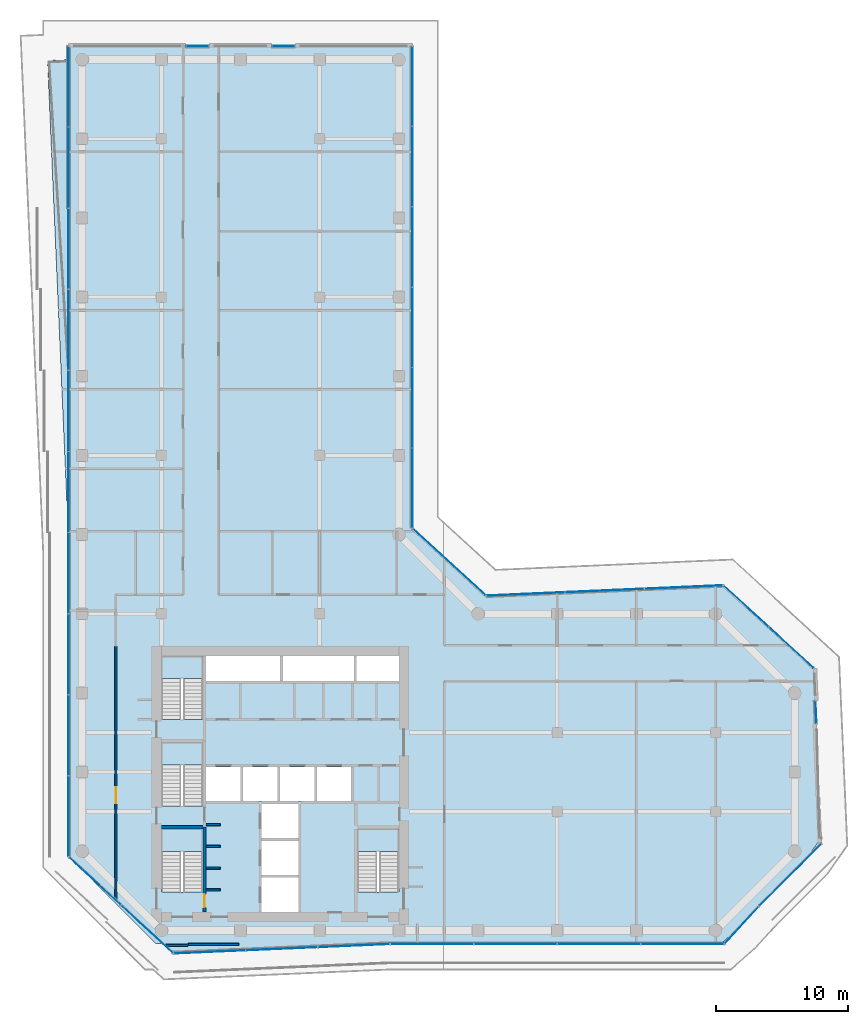
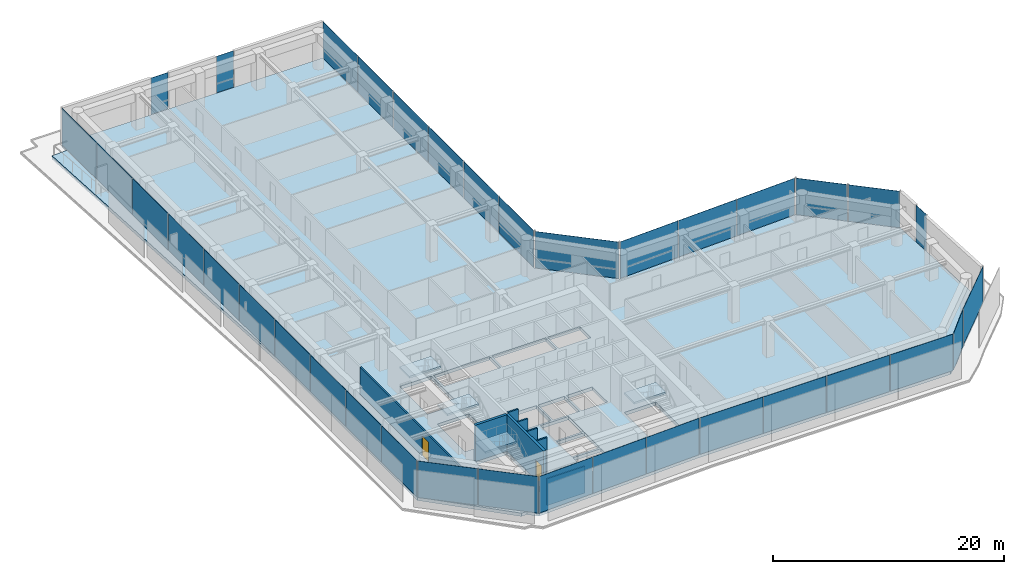
# One storey, part 18 of 24: 36 plates, 9 walls, 5 slabs, 2 doors, 2 openings, 17 elements without a shape of their own.
"""IFC4 building model written with IfcOpenShell, lengths in metres."""

from ifc_helpers import new_model, si_unit, direction, frame, frame_2d, origin, origin_2d, place, context, subcontext, project, spatial, polyline, rectangle, outline, extrude, material, layer, layer_set, type_object, element, fill, aggregate, save


model = new_model("IFC4")

# Units and contexts
model_context = context("Model", 3, precision=1e-05, world=origin(), true_north=direction((0.0, 1.0)))
body_context = subcontext(model_context, "Body", "Model", "MODEL_VIEW")
ifc_project = project(units=[si_unit("LENGTHUNIT", "METRE"), si_unit("AREAUNIT", "SQUARE_METRE"), si_unit("VOLUMEUNIT", "CUBIC_METRE"), si_unit("PLANEANGLEUNIT", "RADIAN"), si_unit("MASSUNIT", "GRAM", prefix="KILO")], contexts=[model_context])

# Site, building, storey
site_placement = place(None, origin())
site = spatial("IfcSite", under=ifc_project, at=site_placement, CompositionType="ELEMENT")
building_placement = place(site_placement, origin())
building = spatial("IfcBuilding", under=site, at=building_placement, Name="Welwitschia Terrace Campus", CompositionType="ELEMENT")
storey_placement = place(building_placement, frame((0.0, 0.0, 100.39990234375)))
storey = spatial("IfcBuildingStorey", under=building, at=storey_placement, Name="L22", CompositionType="ELEMENT", Elevation=100.39990234375)

# Curtain wall, plates
ifc_material_1 = material(Name="Bronze anodised aluminium", Category="aluminium")
ifc_layer_1 = layer(ifc_material_1, 0.1201171875)
ifc_layer_set_1 = layer_set([ifc_layer_1], Name="Bronze anodised aluminium")
curtain_wall_type = type_object("IfcCurtainWallType", Name="Curtain wall CW2 tower 6000", PredefinedType="NOTDEFINED", material=ifc_layer_set_1)
curtain_wall_1_placement = place(storey_placement, origin())
curtain_wall_1 = element("IfcCurtainWall", 1, at=curtain_wall_1_placement, inside=storey, type_object=curtain_wall_type, Name="CW L22.0.0", PredefinedType="NOTDEFINED")
ifc_material_2 = material(Name="Tinted bronze-grey glass", Category="glass")
ifc_layer_2 = layer(ifc_material_2, 0.028076171875)
ifc_layer_set_2 = layer_set([ifc_layer_2], Name="Tinted bronze-grey glass")
plate_type = type_object("IfcPlateType", Name="Glass panel 28 tinted", PredefinedType="CURTAIN_PANEL", material=ifc_layer_set_2)
plate_1_placement = place(storey_placement, frame((0.96533203125, 7.73291015625, 0.0), z_axis=(0.0, 0.0, 1.0), x_axis=(0.735084146452, -0.677975882783, 0.0)))
plate_1 = element("IfcPlate", 2, at=plate_1_placement, type_object=plate_type, Name="Panel L22.0.0.0", PredefinedType="CURTAIN_PANEL", context=body_context, shape_type="SweptSolid", body=[
    extrude(rectangle(XDim=5.30908203125, YDim=0.028076171875, at=origin_2d()), origin(), (0.0, 0.0, 1.0), 3.85009765625),
])
plate_2_placement = place(storey_placement, frame((4.912109375, 4.093017578125, 0.0), z_axis=(0.0, 0.0, 1.0), x_axis=(0.735084146452, -0.677975882783, 0.0)))
plate_2 = element("IfcPlate", 3, at=plate_2_placement, type_object=plate_type, Name="Panel L22.0.0.1", PredefinedType="CURTAIN_PANEL", context=body_context, shape_type="SweptSolid", body=[
    extrude(rectangle(XDim=5.30908203125, YDim=0.028076171875, at=origin_2d()), origin(), (0.0, 0.0, 1.0), 3.85009765625),
])
aggregate(curtain_wall_1, [plate_1, plate_2])

curtain_wall_2_placement = place(storey_placement, origin())
curtain_wall_2 = element("IfcCurtainWall", 4, at=curtain_wall_2_placement, inside=storey, type_object=curtain_wall_type, Name="CW L22.1.0", PredefinedType="NOTDEFINED")
plate_3_placement = place(storey_placement, frame((9.660888671875, 2.372802734375, 0.0), z_axis=(0.0, 0.0, 1.0), x_axis=(0.999048221582, 0.043619387365, 0.0)))
plate_3 = element("IfcPlate", 5, at=plate_3_placement, type_object=plate_type, Name="Panel L22.1.0.0", PredefinedType="CURTAIN_PANEL", context=body_context, shape_type="SweptSolid", body=[
    extrude(rectangle(XDim=5.39208984375, YDim=0.028076171875, at=origin_2d()), origin(), (0.0, 0.0, 1.0), 3.85009765625),
])
plate_4_placement = place(storey_placement, frame((15.122802734375, 2.611328125, 0.0), z_axis=(0.0, 0.0, 1.0), x_axis=(0.999048221582, 0.043619387365, 0.0)))
plate_4 = element("IfcPlate", 6, at=plate_4_placement, type_object=plate_type, Name="Panel L22.1.0.1", PredefinedType="CURTAIN_PANEL", context=body_context, shape_type="SweptSolid", body=[
    extrude(rectangle(XDim=5.422119140625, YDim=0.028076171875, at=origin_2d()), origin(), (0.0, 0.0, 1.0), 3.85009765625),
])
plate_5_placement = place(storey_placement, frame((20.584716796875, 2.849853515625, 0.0), z_axis=(0.0, 0.0, 1.0), x_axis=(0.999048221582, 0.043619387365, 0.0)))
plate_5 = element("IfcPlate", 7, at=plate_5_placement, type_object=plate_type, Name="Panel L22.1.0.2", PredefinedType="CURTAIN_PANEL", context=body_context, shape_type="SweptSolid", body=[
    extrude(rectangle(XDim=5.39208984375, YDim=0.028076171875, at=origin_2d()), origin(), (0.0, 0.0, 1.0), 3.85009765625),
])
aggregate(curtain_wall_2, [plate_3, plate_4, plate_5])

curtain_wall_3_placement = place(storey_placement, origin())
curtain_wall_3 = element("IfcCurtainWall", 8, at=curtain_wall_3_placement, inside=storey, type_object=curtain_wall_type, Name="CW L22.2.0", PredefinedType="NOTDEFINED")
plate_6_placement = place(storey_placement, frame((26.518798828125, 2.969970703125, 0.0), z_axis=(0.0, 0.0, 1.0), x_axis=(1.0, 0.0, 0.0)))
plate_6 = element("IfcPlate", 9, at=plate_6_placement, type_object=plate_type, Name="Panel L22.2.0.0", PredefinedType="CURTAIN_PANEL", context=body_context, shape_type="SweptSolid", body=[
    extrude(rectangle(XDim=6.24169921875, YDim=0.028076171875, at=origin_2d()), origin(), (0.0, 0.0, 1.0), 3.85009765625),
])
plate_7_placement = place(storey_placement, frame((32.83544921875, 2.969970703125, 0.0), z_axis=(0.0, 0.0, 1.0), x_axis=(1.0, 0.0, 0.0)))
plate_7 = element("IfcPlate", 10, at=plate_7_placement, type_object=plate_type, Name="Panel L22.2.0.1", PredefinedType="CURTAIN_PANEL", context=body_context, shape_type="SweptSolid", body=[
    extrude(rectangle(XDim=6.271484375, YDim=0.028076171875, at=origin_2d()), origin(), (0.0, 0.0, 1.0), 3.85009765625),
])
plate_8_placement = place(storey_placement, frame((39.1669921875, 2.969970703125, 0.0), z_axis=(0.0, 0.0, 1.0), x_axis=(1.0, 0.0, 0.0)))
plate_8 = element("IfcPlate", 11, at=plate_8_placement, type_object=plate_type, Name="Panel L22.2.0.2", PredefinedType="CURTAIN_PANEL", context=body_context, shape_type="SweptSolid", body=[
    extrude(rectangle(XDim=6.271484375, YDim=0.028076171875, at=origin_2d()), origin(), (0.0, 0.0, 1.0), 3.85009765625),
])
plate_9_placement = place(storey_placement, frame((45.483642578125, 2.969970703125, 0.0), z_axis=(0.0, 0.0, 1.0), x_axis=(1.0, 0.0, 0.0)))
plate_9 = element("IfcPlate", 12, at=plate_9_placement, type_object=plate_type, Name="Panel L22.2.0.3", PredefinedType="CURTAIN_PANEL", context=body_context, shape_type="SweptSolid", body=[
    extrude(rectangle(XDim=6.24169921875, YDim=0.028076171875, at=origin_2d()), origin(), (0.0, 0.0, 1.0), 3.85009765625),
])
aggregate(curtain_wall_3, [plate_6, plate_7, plate_8, plate_9])

# Curtain wall, plate
curtain_wall_4_placement = place(storey_placement, origin())
curtain_wall_4 = element("IfcCurtainWall", 13, at=curtain_wall_4_placement, inside=storey, type_object=curtain_wall_type, Name="CW L22.3.0", PredefinedType="NOTDEFINED")
plate_10_placement = place(storey_placement, frame((49.96630859375, 4.390869140625, 0.0), z_axis=(0.0, 0.0, 1.0), x_axis=(0.675590207616, 0.73727733681, 0.0)))
plate_10 = element("IfcPlate", 14, at=plate_10_placement, type_object=plate_type, Name="Panel L22.3.0.0", PredefinedType="CURTAIN_PANEL", context=body_context, shape_type="SweptSolid", body=[
    extrude(rectangle(XDim=3.734375, YDim=0.028076171875, at=origin_2d()), origin(), (0.0, 0.0, 1.0), 3.85009765625),
])
aggregate(curtain_wall_4, [plate_10])

curtain_wall_5_placement = place(storey_placement, origin())
curtain_wall_5 = element("IfcCurtainWall", 15, at=curtain_wall_5_placement, inside=storey, type_object=curtain_wall_type, Name="CW L22.4.0", PredefinedType="NOTDEFINED")
plate_11_placement = place(storey_placement, frame((53.65771484375, 8.201171875, 0.0), z_axis=(0.0, 0.0, 1.0), x_axis=(0.707106781187, 0.707106781187, 0.0)))
plate_11 = element("IfcPlate", 16, at=plate_11_placement, type_object=plate_type, Name="Panel L22.4.0.0", PredefinedType="CURTAIN_PANEL", context=body_context, shape_type="SweptSolid", body=[
    extrude(rectangle(XDim=6.63818359375, YDim=0.028076171875, at=origin_2d()), origin(), (0.0, 0.0, 1.0), 3.85009765625),
])
aggregate(curtain_wall_5, [plate_11])

curtain_wall_6_placement = place(storey_placement, origin())
curtain_wall_6 = element("IfcCurtainWall", 17, at=curtain_wall_6_placement, inside=storey, type_object=curtain_wall_type, Name="CW L22.5.S0", PredefinedType="NOTDEFINED")
plate_12_placement = place(storey_placement, frame((55.613037109375, 20.53369140625, 0.0), z_axis=(0.0, 0.0, 1.0), x_axis=(-0.043619387365, 0.999048221582, 0.0)))
plate_12 = element("IfcPlate", 18, at=plate_12_placement, type_object=plate_type, Name="Panel L22.5.S0.0", PredefinedType="CURTAIN_PANEL", context=body_context, shape_type="SweptSolid", body=[
    extrude(rectangle(XDim=1.679931640625, YDim=0.028076171875, at=origin_2d()), origin(), (0.0, 0.0, 1.0), 3.85009765625),
])
aggregate(curtain_wall_6, [plate_12])

# Curtain wall, plates
curtain_wall_7_placement = place(storey_placement, origin())
curtain_wall_7 = element("IfcCurtainWall", 19, at=curtain_wall_7_placement, inside=storey, type_object=curtain_wall_type, Name="CW L22.6.0", PredefinedType="NOTDEFINED")
plate_13_placement = place(storey_placement, frame((53.73583984375, 25.435302734375, 0.0), z_axis=(0.0, 0.0, 1.0), x_axis=(-0.73727733681, 0.675590207616, 0.0)))
plate_13 = element("IfcPlate", 20, at=plate_13_placement, type_object=plate_type, Name="Panel L22.6.0.0", PredefinedType="CURTAIN_PANEL", context=body_context, shape_type="SweptSolid", body=[
    extrude(rectangle(XDim=4.579345703125, YDim=0.028076171875, at=origin_2d()), origin(), (0.0, 0.0, 1.0), 3.85009765625),
])
plate_14_placement = place(storey_placement, frame((50.3154296875, 28.569580078125, 0.0), z_axis=(0.0, 0.0, 1.0), x_axis=(-0.73727733681, 0.675590207616, 0.0)))
plate_14 = element("IfcPlate", 21, at=plate_14_placement, type_object=plate_type, Name="Panel L22.6.0.1", PredefinedType="CURTAIN_PANEL", context=body_context, shape_type="SweptSolid", body=[
    extrude(rectangle(XDim=4.579345703125, YDim=0.028076171875, at=origin_2d()), origin(), (0.0, 0.0, 1.0), 3.85009765625),
])
aggregate(curtain_wall_7, [plate_13, plate_14])

curtain_wall_8_placement = place(storey_placement, origin())
curtain_wall_8 = element("IfcCurtainWall", 22, at=curtain_wall_8_placement, inside=storey, type_object=curtain_wall_type, Name="CW L22.7.0", PredefinedType="NOTDEFINED")
plate_15_placement = place(storey_placement, frame((45.571044921875, 30.025634765625, 0.0), z_axis=(0.0, 0.0, 1.0), x_axis=(-0.999048221582, -0.043619387365, 0.0)))
plate_15 = element("IfcPlate", 23, at=plate_15_placement, type_object=plate_type, Name="Panel L22.7.0.0", PredefinedType="CURTAIN_PANEL", context=body_context, shape_type="SweptSolid", body=[
    extrude(rectangle(XDim=5.909912109375, YDim=0.028076171875, at=origin_2d()), origin(), (0.0, 0.0, 1.0), 3.85009765625),
])
plate_16_placement = place(storey_placement, frame((39.591796875, 29.764404296875, 0.0), z_axis=(0.0, 0.0, 1.0), x_axis=(-0.999048221582, -0.043619387365, 0.0)))
plate_16 = element("IfcPlate", 24, at=plate_16_placement, type_object=plate_type, Name="Panel L22.7.0.1", PredefinedType="CURTAIN_PANEL", context=body_context, shape_type="SweptSolid", body=[
    extrude(rectangle(XDim=5.93994140625, YDim=0.028076171875, at=origin_2d()), origin(), (0.0, 0.0, 1.0), 3.85009765625),
])
plate_17_placement = place(storey_placement, frame((33.6123046875, 29.50341796875, 0.0), z_axis=(0.0, 0.0, 1.0), x_axis=(-0.999048221582, -0.043619387365, 0.0)))
plate_17 = element("IfcPlate", 25, at=plate_17_placement, type_object=plate_type, Name="Panel L22.7.0.2", PredefinedType="CURTAIN_PANEL", context=body_context, shape_type="SweptSolid", body=[
    extrude(rectangle(XDim=5.909912109375, YDim=0.028076171875, at=origin_2d()), origin(), (0.0, 0.0, 1.0), 3.85009765625),
])
aggregate(curtain_wall_8, [plate_15, plate_16, plate_17])

# Curtain wall, plate
curtain_wall_9_placement = place(storey_placement, origin())
curtain_wall_9 = element("IfcCurtainWall", 26, at=curtain_wall_9_placement, inside=storey, type_object=curtain_wall_type, Name="CW L22.8.0", PredefinedType="NOTDEFINED")
plate_18_placement = place(storey_placement, frame((27.815185546875, 31.924072265625, 0.0), z_axis=(0.0, 0.0, 1.0), x_axis=(-0.73727733681, 0.675590207616, 0.0)))
plate_18 = element("IfcPlate", 27, at=plate_18_placement, type_object=plate_type, Name="Panel L22.8.0.0", PredefinedType="CURTAIN_PANEL", context=body_context, shape_type="SweptSolid", body=[
    extrude(rectangle(XDim=7.435302734375, YDim=0.028076171875, at=origin_2d()), origin(), (0.0, 0.0, 1.0), 3.85009765625),
])
aggregate(curtain_wall_9, [plate_18])

# Curtain wall, plates
curtain_wall_10_placement = place(storey_placement, origin())
curtain_wall_10 = element("IfcCurtainWall", 28, at=curtain_wall_10_placement, inside=storey, type_object=curtain_wall_type, Name="CW L22.9.0", PredefinedType="NOTDEFINED")
plate_19_placement = place(storey_placement, frame((25.030029296875, 37.537353515625, 0.0), z_axis=(0.0, 0.0, 1.0), x_axis=(0.0, 1.0, 0.0)))
plate_19 = element("IfcPlate", 29, at=plate_19_placement, type_object=plate_type, Name="Panel L22.9.0.0", PredefinedType="CURTAIN_PANEL", context=body_context, shape_type="SweptSolid", body=[
    extrude(rectangle(XDim=6.002197265625, YDim=0.028076171875, at=origin_2d()), origin(), (0.0, 0.0, 1.0), 3.85009765625),
])
plate_20_placement = place(storey_placement, frame((25.030029296875, 43.614501953125, 0.0), z_axis=(0.0, 0.0, 1.0), x_axis=(0.0, 1.0, 0.0)))
plate_20 = element("IfcPlate", 30, at=plate_20_placement, type_object=plate_type, Name="Panel L22.9.0.1", PredefinedType="CURTAIN_PANEL", context=body_context, shape_type="SweptSolid", body=[
    extrude(rectangle(XDim=6.0322265625, YDim=0.028076171875, at=origin_2d()), origin(), (0.0, 0.0, 1.0), 3.85009765625),
])
plate_21_placement = place(storey_placement, frame((25.030029296875, 49.70703125, 0.0), z_axis=(0.0, 0.0, 1.0), x_axis=(0.0, 1.0, 0.0)))
plate_21 = element("IfcPlate", 31, at=plate_21_placement, type_object=plate_type, Name="Panel L22.9.0.2", PredefinedType="CURTAIN_PANEL", context=body_context, shape_type="SweptSolid", body=[
    extrude(rectangle(XDim=6.0322265625, YDim=0.028076171875, at=origin_2d()), origin(), (0.0, 0.0, 1.0), 3.85009765625),
])
plate_22_placement = place(storey_placement, frame((25.030029296875, 55.79931640625, 0.0), z_axis=(0.0, 0.0, 1.0), x_axis=(0.0, 1.0, 0.0)))
plate_22 = element("IfcPlate", 32, at=plate_22_placement, type_object=plate_type, Name="Panel L22.9.0.3", PredefinedType="CURTAIN_PANEL", context=body_context, shape_type="SweptSolid", body=[
    extrude(rectangle(XDim=6.0322265625, YDim=0.028076171875, at=origin_2d()), origin(), (0.0, 0.0, 1.0), 3.85009765625),
])
plate_23_placement = place(storey_placement, frame((25.030029296875, 61.8916015625, 0.0), z_axis=(0.0, 0.0, 1.0), x_axis=(0.0, 1.0, 0.0)))
plate_23 = element("IfcPlate", 33, at=plate_23_placement, type_object=plate_type, Name="Panel L22.9.0.4", PredefinedType="CURTAIN_PANEL", context=body_context, shape_type="SweptSolid", body=[
    extrude(rectangle(XDim=6.0322265625, YDim=0.028076171875, at=origin_2d()), origin(), (0.0, 0.0, 1.0), 3.85009765625),
])
plate_24_placement = place(storey_placement, frame((25.030029296875, 67.96875, 0.0), z_axis=(0.0, 0.0, 1.0), x_axis=(0.0, 1.0, 0.0)))
plate_24 = element("IfcPlate", 34, at=plate_24_placement, type_object=plate_type, Name="Panel L22.9.0.5", PredefinedType="CURTAIN_PANEL", context=body_context, shape_type="SweptSolid", body=[
    extrude(rectangle(XDim=6.002197265625, YDim=0.028076171875, at=origin_2d()), origin(), (0.0, 0.0, 1.0), 3.85009765625),
])
aggregate(curtain_wall_10, [plate_19, plate_20, plate_21, plate_22, plate_23, plate_24])

# Curtain wall, plate
curtain_wall_11_placement = place(storey_placement, origin())
curtain_wall_11 = element("IfcCurtainWall", 35, at=curtain_wall_11_placement, inside=storey, type_object=curtain_wall_type, Name="CW L22.10.S0", PredefinedType="NOTDEFINED")
plate_25_placement = place(storey_placement, frame((15.257568359375, 71.030029296875, 0.0), z_axis=(0.0, 0.0, 1.0), x_axis=(-1.0, 0.0, 0.0)))
plate_25 = element("IfcPlate", 36, at=plate_25_placement, type_object=plate_type, Name="Panel L22.10.S0.0", PredefinedType="CURTAIN_PANEL", context=body_context, shape_type="SweptSolid", body=[
    extrude(rectangle(XDim=1.679931640625, YDim=0.028076171875, at=origin_2d()), origin(), (0.0, 0.0, 1.0), 3.85009765625),
])
aggregate(curtain_wall_11, [plate_25])

curtain_wall_12_placement = place(storey_placement, origin())
curtain_wall_12 = element("IfcCurtainWall", 37, at=curtain_wall_12_placement, inside=storey, type_object=curtain_wall_type, Name="CW L22.10.S1", PredefinedType="NOTDEFINED")
plate_26_placement = place(storey_placement, frame((8.742431640625, 71.030029296875, 0.0), z_axis=(0.0, 0.0, 1.0), x_axis=(-1.0, 0.0, 0.0)))
plate_26 = element("IfcPlate", 38, at=plate_26_placement, type_object=plate_type, Name="Panel L22.10.S1.0", PredefinedType="CURTAIN_PANEL", context=body_context, shape_type="SweptSolid", body=[
    extrude(rectangle(XDim=1.679931640625, YDim=0.028076171875, at=origin_2d()), origin(), (0.0, 0.0, 1.0), 3.85009765625),
])
aggregate(curtain_wall_12, [plate_26])

# Curtain wall, plates
curtain_wall_13_placement = place(storey_placement, origin())
curtain_wall_13 = element("IfcCurtainWall", 39, at=curtain_wall_13_placement, inside=storey, type_object=curtain_wall_type, Name="CW L22.11.0", PredefinedType="NOTDEFINED")
plate_27_placement = place(storey_placement, frame((-1.030029296875, 67.942138671875, 0.0), z_axis=(0.0, 0.0, 1.0), x_axis=(0.0, -1.0, 0.0)))
plate_27 = element("IfcPlate", 40, at=plate_27_placement, type_object=plate_type, Name="Panel L22.11.0.0", PredefinedType="CURTAIN_PANEL", context=body_context, shape_type="SweptSolid", body=[
    extrude(rectangle(XDim=6.0556640625, YDim=0.028076171875, at=origin_2d()), origin(), (0.0, 0.0, 1.0), 3.85009765625),
])
plate_28_placement = place(storey_placement, frame((-1.030029296875, 61.8115234375, 0.0), z_axis=(0.0, 0.0, 1.0), x_axis=(0.0, -1.0, 0.0)))
plate_28 = element("IfcPlate", 41, at=plate_28_placement, type_object=plate_type, Name="Panel L22.11.0.1", PredefinedType="CURTAIN_PANEL", context=body_context, shape_type="SweptSolid", body=[
    extrude(rectangle(XDim=6.085693359375, YDim=0.028076171875, at=origin_2d()), origin(), (0.0, 0.0, 1.0), 3.85009765625),
])
plate_29_placement = place(storey_placement, frame((-1.030029296875, 55.665771484375, 0.0), z_axis=(0.0, 0.0, 1.0), x_axis=(0.0, -1.0, 0.0)))
plate_29 = element("IfcPlate", 42, at=plate_29_placement, type_object=plate_type, Name="Panel L22.11.0.2", PredefinedType="CURTAIN_PANEL", context=body_context, shape_type="SweptSolid", body=[
    extrude(rectangle(XDim=6.085693359375, YDim=0.028076171875, at=origin_2d()), origin(), (0.0, 0.0, 1.0), 3.85009765625),
])
plate_30_placement = place(storey_placement, frame((-1.030029296875, 49.520263671875, 0.0), z_axis=(0.0, 0.0, 1.0), x_axis=(0.0, -1.0, 0.0)))
plate_30 = element("IfcPlate", 43, at=plate_30_placement, type_object=plate_type, Name="Panel L22.11.0.3", PredefinedType="CURTAIN_PANEL", context=body_context, shape_type="SweptSolid", body=[
    extrude(rectangle(XDim=6.085693359375, YDim=0.028076171875, at=origin_2d()), origin(), (0.0, 0.0, 1.0), 3.85009765625),
])
plate_31_placement = place(storey_placement, frame((-1.030029296875, 43.37451171875, 0.0), z_axis=(0.0, 0.0, 1.0), x_axis=(0.0, -1.0, 0.0)))
plate_31 = element("IfcPlate", 44, at=plate_31_placement, type_object=plate_type, Name="Panel L22.11.0.4", PredefinedType="CURTAIN_PANEL", context=body_context, shape_type="SweptSolid", body=[
    extrude(rectangle(XDim=6.085693359375, YDim=0.028076171875, at=origin_2d()), origin(), (0.0, 0.0, 1.0), 3.85009765625),
])
plate_32_placement = place(storey_placement, frame((-1.030029296875, 37.228759765625, 0.0), z_axis=(0.0, 0.0, 1.0), x_axis=(0.0, -1.0, 0.0)))
plate_32 = element("IfcPlate", 45, at=plate_32_placement, type_object=plate_type, Name="Panel L22.11.0.5", PredefinedType="CURTAIN_PANEL", context=body_context, shape_type="SweptSolid", body=[
    extrude(rectangle(XDim=6.085693359375, YDim=0.028076171875, at=origin_2d()), origin(), (0.0, 0.0, 1.0), 3.85009765625),
])
plate_33_placement = place(storey_placement, frame((-1.030029296875, 31.083251953125, 0.0), z_axis=(0.0, 0.0, 1.0), x_axis=(0.0, -1.0, 0.0)))
plate_33 = element("IfcPlate", 46, at=plate_33_placement, type_object=plate_type, Name="Panel L22.11.0.6", PredefinedType="CURTAIN_PANEL", context=body_context, shape_type="SweptSolid", body=[
    extrude(rectangle(XDim=6.085693359375, YDim=0.028076171875, at=origin_2d()), origin(), (0.0, 0.0, 1.0), 3.85009765625),
])
plate_34_placement = place(storey_placement, frame((-1.030029296875, 24.9375, 0.0), z_axis=(0.0, 0.0, 1.0), x_axis=(0.0, -1.0, 0.0)))
plate_34 = element("IfcPlate", 47, at=plate_34_placement, type_object=plate_type, Name="Panel L22.11.0.7", PredefinedType="CURTAIN_PANEL", context=body_context, shape_type="SweptSolid", body=[
    extrude(rectangle(XDim=6.085693359375, YDim=0.028076171875, at=origin_2d()), origin(), (0.0, 0.0, 1.0), 3.85009765625),
])
plate_35_placement = place(storey_placement, frame((-1.030029296875, 18.791748046875, 0.0), z_axis=(0.0, 0.0, 1.0), x_axis=(0.0, -1.0, 0.0)))
plate_35 = element("IfcPlate", 48, at=plate_35_placement, type_object=plate_type, Name="Panel L22.11.0.8", PredefinedType="CURTAIN_PANEL", context=body_context, shape_type="SweptSolid", body=[
    extrude(rectangle(XDim=6.085693359375, YDim=0.028076171875, at=origin_2d()), origin(), (0.0, 0.0, 1.0), 3.85009765625),
])
plate_36_placement = place(storey_placement, frame((-1.030029296875, 12.6611328125, 0.0), z_axis=(0.0, 0.0, 1.0), x_axis=(0.0, -1.0, 0.0)))
plate_36 = element("IfcPlate", 49, at=plate_36_placement, type_object=plate_type, Name="Panel L22.11.0.9", PredefinedType="CURTAIN_PANEL", context=body_context, shape_type="SweptSolid", body=[
    extrude(rectangle(XDim=6.0556640625, YDim=0.028076171875, at=origin_2d()), origin(), (0.0, 0.0, 1.0), 3.85009765625),
])
aggregate(curtain_wall_13, [plate_27, plate_28, plate_29, plate_30, plate_31, plate_32, plate_33, plate_34, plate_35, plate_36])

# Stair, slab
ifc_material_3 = material(Name="Concrete C40/50", Category="concrete")
stair_type = type_object("IfcStairType", Name="Stair 24R 175 W1500", PredefinedType="HALF_TURN_STAIR", material=ifc_material_3)
stair_1_placement = place(storey_placement, origin())
stair_1 = element("IfcStair", 50, at=stair_1_placement, inside=storey, type_object=stair_type, Name="L22 Exit stair S1", PredefinedType="HALF_TURN_STAIR")
ifc_material_4 = material(Name="Concrete C40/50", Category="concrete")
ifc_layer_3 = layer(ifc_material_4, 0.199951171875)
ifc_layer_set_3 = layer_set([ifc_layer_3], Name="Concrete C40/50")
slab_type_1 = type_object("IfcSlabType", Name="Stair landing RC", PredefinedType="LANDING", material=ifc_layer_set_3)
slab_1_placement = place(storey_placement, frame((0.0, 0.0, 1.900146484375)))
slab_1 = element("IfcSlab", 51, at=slab_1_placement, type_object=slab_type_1, Name="S1 landing 1", PredefinedType="LANDING", context=body_context, shape_type="SweptSolid", body=[
    extrude(outline(polyline([(9.14990234375, 9.97998046875), (9.14990234375, 11.699951171875), (6.0, 11.699951171875), (6.0, 9.97998046875), (9.14990234375, 9.97998046875)])), origin(), (0.0, 0.0, 1.0), 0.199951171875),
])
aggregate(stair_1, [slab_1])

stair_2_placement = place(storey_placement, origin())
stair_2 = element("IfcStair", 52, at=stair_2_placement, inside=storey, type_object=stair_type, Name="L22 Exit stair S3", PredefinedType="HALF_TURN_STAIR")
slab_2_placement = place(storey_placement, frame((0.0, 0.0, 1.900146484375)))
slab_2 = element("IfcSlab", 53, at=slab_2_placement, type_object=slab_type_1, Name="S3 landing 1", PredefinedType="LANDING", context=body_context, shape_type="SweptSolid", body=[
    extrude(outline(polyline([(9.14990234375, 16.530029296875), (9.14990234375, 18.25), (6.0, 18.25), (6.0, 16.530029296875), (9.14990234375, 16.530029296875)])), origin(), (0.0, 0.0, 1.0), 0.199951171875),
])
aggregate(stair_2, [slab_2])

stair_3_placement = place(storey_placement, origin())
stair_3 = element("IfcStair", 54, at=stair_3_placement, inside=storey, type_object=stair_type, Name="L22 Exit stair S4", PredefinedType="HALF_TURN_STAIR")
slab_3_placement = place(storey_placement, frame((0.0, 0.0, 1.900146484375)))
slab_3 = element("IfcSlab", 55, at=slab_3_placement, type_object=slab_type_1, Name="S4 landing 1", PredefinedType="LANDING", context=body_context, shape_type="SweptSolid", body=[
    extrude(outline(polyline([(9.14990234375, 23.080078125), (9.14990234375, 24.800048828125), (6.0, 24.800048828125), (6.0, 23.080078125), (9.14990234375, 23.080078125)])), origin(), (0.0, 0.0, 1.0), 0.199951171875),
])
aggregate(stair_3, [slab_3])

stair_4_placement = place(storey_placement, origin())
stair_4 = element("IfcStair", 56, at=stair_4_placement, inside=storey, type_object=stair_type, Name="L22 Exit stair S2", PredefinedType="HALF_TURN_STAIR")
slab_4_placement = place(storey_placement, frame((0.0, 0.0, 1.900146484375)))
slab_4 = element("IfcSlab", 57, at=slab_4_placement, type_object=slab_type_1, Name="S2 landing 1", PredefinedType="LANDING", context=body_context, shape_type="SweptSolid", body=[
    extrude(outline(polyline([(24.0, 9.97998046875), (24.0, 11.699951171875), (20.85009765625, 11.699951171875), (20.85009765625, 9.97998046875), (24.0, 9.97998046875)])), origin(), (0.0, 0.0, 1.0), 0.199951171875),
])
aggregate(stair_4, [slab_4])

# Slab
ifc_material_5 = material(Name="Concrete C40/50", Category="concrete")
ifc_layer_4 = layer(ifc_material_5, 0.35009765625)
ifc_layer_set_4 = layer_set([ifc_layer_4], Name="Concrete C40/50")
slab_type_2 = type_object("IfcSlabType", Name="Suspended floor slab 350", PredefinedType="FLOOR", material=ifc_layer_set_4)
slab_5_placement = place(storey_placement, frame((0.0, 0.0, -0.349853515625)))
element("IfcSlab", 58, at=slab_5_placement, inside=storey, type_object=slab_type_2, Name="Floor slab L22", PredefinedType="FLOOR", context=body_context, shape_type="SweptSolid", body=[
    extrude(outline(polyline([(-1.0, 70.002197265625), (-1.0, 71.0), (25.0, 71.0), (25.0, 34.462890625), (30.589111328125, 29.34130859375), (48.572021484375, 30.12646484375), (55.43896484375, 23.834228515625), (55.998291015625, 11.01806640625), (55.0, 9.585693359375), (51.24658203125, 5.83251953125), (49.7060546875, 4.1513671875), (48.414306640625, 3.0), (23.33740234375, 3.0), (6.91845703125, 2.283203125), (6.13623046875, 3.0), (5.585693359375, 3.0), (-1.0, 9.585693359375), (-1.0, 32.66357421875), (-2.627197265625, 69.93115234375), (-1.0, 70.002197265625)]), holes=[polyline([(13.60009765625, 8.0), (13.60009765625, 5.39990234375), (16.39990234375, 5.39990234375), (16.39990234375, 8.0), (13.60009765625, 8.0)]), polyline([(9.14990234375, 11.699951171875), (6.0, 11.699951171875), (6.0, 6.902099609375), (9.14990234375, 6.902099609375), (9.14990234375, 11.699951171875)]), polyline([(12.0, 16.39990234375), (9.39990234375, 16.39990234375), (9.39990234375, 13.800048828125), (12.0, 13.800048828125), (12.0, 16.39990234375)]), polyline([(14.800048828125, 16.39990234375), (12.199951171875, 16.39990234375), (12.199951171875, 13.800048828125), (14.800048828125, 13.800048828125), (14.800048828125, 16.39990234375)]), polyline([(9.14990234375, 18.25), (6.0, 18.25), (6.0, 13.451904296875), (9.14990234375, 13.451904296875), (9.14990234375, 18.25)]), polyline([(9.14990234375, 24.800048828125), (6.0, 24.800048828125), (6.0, 20.001953125), (9.14990234375, 20.001953125), (9.14990234375, 24.800048828125)]), polyline([(15.0, 24.800048828125), (9.39990234375, 24.800048828125), (9.39990234375, 22.89990234375), (15.0, 22.89990234375), (15.0, 24.800048828125)]), polyline([(20.85009765625, 11.699951171875), (20.85009765625, 6.902099609375), (24.0, 6.902099609375), (24.0, 11.699951171875), (20.85009765625, 11.699951171875)]), polyline([(16.39990234375, 10.800048828125), (13.60009765625, 10.800048828125), (13.60009765625, 8.199951171875), (16.39990234375, 8.199951171875), (16.39990234375, 10.800048828125)]), polyline([(16.39990234375, 13.60009765625), (13.60009765625, 13.60009765625), (13.60009765625, 11.0), (16.39990234375, 11.0), (16.39990234375, 13.60009765625)]), polyline([(17.60009765625, 16.39990234375), (15.0, 16.39990234375), (15.0, 13.800048828125), (17.60009765625, 13.800048828125), (17.60009765625, 16.39990234375)]), polyline([(20.39990234375, 16.39990234375), (17.800048828125, 16.39990234375), (17.800048828125, 13.800048828125), (20.39990234375, 13.800048828125), (20.39990234375, 16.39990234375)]), polyline([(20.60009765625, 24.800048828125), (15.199951171875, 24.800048828125), (15.199951171875, 22.89990234375), (20.60009765625, 22.89990234375), (20.60009765625, 24.800048828125)]), polyline([(24.0, 24.800048828125), (20.800048828125, 24.800048828125), (20.800048828125, 22.89990234375), (24.0, 22.89990234375), (24.0, 24.800048828125)])]), origin(), (0.0, 0.0, 1.0), 0.349853515625),
])

# Walls
ifc_material_6 = material(Name="Concrete C50/60", Category="concrete")
ifc_layer_5 = layer(ifc_material_6, 0.14990234375)
ifc_layer_set_5 = layer_set([ifc_layer_5], Name="Concrete C50/60")
wall_type_1 = type_object("IfcWallType", Name="Core wall 150 Concrete C50/60", PredefinedType="SHEAR", material=ifc_layer_set_5)
for number, where, z_axis, x_axis, name in (
    (59, (9.39990234375, 7.074951171875, 0.0), (0.0, 0.0, 1.0), (1.0, 0.0, 0.0), "Core wall"),
    (60, (9.39990234375, 8.72509765625, 0.0), (0.0, 0.0, 1.0), (1.0, 0.0, 0.0), "Core wall"),
    (61, (9.39990234375, 10.375, 0.0), (0.0, 0.0, 1.0), (1.0, 0.0, 0.0), "Core wall"),
    (62, (9.39990234375, 12.02490234375, 0.0), (0.0, 0.0, 1.0), (1.0, 0.0, 0.0), "Core wall"),
):
    element("IfcWall", number, at=place(storey_placement, frame(where, z_axis=z_axis, x_axis=x_axis)), inside=storey, type_object=wall_type_1, Name=name, PredefinedType="SHEAR", context=body_context, shape_type="SweptSolid", body=[
        extrude(rectangle(XDim=1.050048828125, YDim=0.14990234375, at=frame_2d((0.52490234375, 0.0))), origin(), (0.0, 0.0, 1.0), 3.85009765625),
    ])
ifc_material_7 = material(Name="Concrete C50/60", Category="concrete")
ifc_layer_6 = layer(ifc_material_7, 0.25)
ifc_layer_set_6 = layer_set([ifc_layer_6], Name="Concrete C50/60")
wall_type_2 = type_object("IfcWallType", Name="Core wall 250 Concrete C50/60", PredefinedType="SHEAR", material=ifc_layer_set_6)
wall_1_placement = place(storey_placement, frame((6.0, 11.824951171875, 0.0), z_axis=(0.0, 0.0, 1.0), x_axis=(1.0, 0.0, 0.0)))
element("IfcWall", 63, at=wall_1_placement, inside=storey, type_object=wall_type_2, Name="Core wall", PredefinedType="SHEAR", context=body_context, shape_type="SweptSolid", body=[
    extrude(rectangle(XDim=3.14990234375, YDim=0.25, at=frame_2d((1.574951171875, 0.0))), origin(), (0.0, 0.0, 1.0), 3.85009765625),
])

# Wall, opening, door
wall_2_placement = place(storey_placement, frame((9.27490234375, 11.824951171875, 0.0), z_axis=(0.0, 0.0, 1.0), x_axis=(0.0, -1.0, 0.0)))
wall_2 = element("IfcWall", 64, at=wall_2_placement, inside=storey, type_object=wall_type_2, Name="Core wall", PredefinedType="SHEAR", context=body_context, shape_type="SweptSolid", body=[
    extrude(rectangle(XDim=6.425048828125, YDim=0.25, at=frame_2d((3.21240234375, 0.0))), origin(), (0.0, 0.0, 1.0), 3.85009765625),
])
opening_1_placement = place(wall_2_placement, frame((5.074951171875, 0.0, 0.0)))
opening_1 = element("IfcOpeningElement", 65, at=opening_1_placement, cuts=wall_2, Name="Opening DS10", PredefinedType="OPENING", context=body_context, shape_type="SweptSolid", body=[
    extrude(rectangle(XDim=1.0, YDim=2.10009765625, at=frame_2d((0.5, 1.050048828125))), frame((0.0, 0.135009765625, 0.0), z_axis=(0.0, -1.0, 0.0), x_axis=(1.0, 0.0, 0.0)), (0.0, 0.0, 1.0), 0.27001953125),
])
ifc_material_8 = material(Name="Steel S275", Category="steel")
door_type_1 = type_object("IfcDoorType", Name="Core door DS10", OperationType="SINGLE_SWING_LEFT", PredefinedType="DOOR", material=ifc_material_8)
door_1_placement = place(opening_1_placement, origin())
door_1 = element("IfcDoor", 66, at=door_1_placement, inside=storey, type_object=door_type_1, Name="Door S1-FL", OperationType="SINGLE_SWING_RIGHT", OverallHeight=2.10009765625, OverallWidth=1.0, PredefinedType="DOOR", context=body_context, shape_type="SweptSolid", body=[
    extrude(rectangle(XDim=1.0, YDim=2.10009765625, at=frame_2d((0.5, 1.050048828125))), frame((0.0, 0.02490234375, 0.0), z_axis=(0.0, -1.0, 0.0), x_axis=(1.0, 0.0, 0.0)), (0.0, 0.0, 1.0), 0.050048828125),
])
fill(opening_1, door_1)

ifc_material_9 = material(Name="Gypsum board on steel studs", Category="steel")
ifc_layer_7 = layer(ifc_material_9, 0.14990234375)
ifc_layer_set_7 = layer_set([ifc_layer_7], Name="Gypsum board on steel studs")
wall_type_3 = type_object("IfcWallType", Name="Corridor partition 150 EI 30", PredefinedType="PARTITIONING", material=ifc_layer_set_7)
wall_3_placement = place(storey_placement, frame((2.550048828125, 6.340087890625, 0.0), z_axis=(0.0, 0.0, 1.0), x_axis=(0.0, 1.0, 0.0)))
wall_3 = element("IfcWall", 67, at=wall_3_placement, inside=storey, type_object=wall_type_3, Name="Partition", PredefinedType="PARTITIONING", context=body_context, shape_type="SweptSolid", body=[
    extrude(rectangle(XDim=19.2099609375, YDim=0.14990234375, at=frame_2d((9.60498046875, 0.0))), origin(), (0.0, 0.0, 1.0), 2.830078125),
])
opening_2_placement = place(wall_3_placement, frame((7.31005859375, 0.0, 0.0)))
opening_2 = element("IfcOpeningElement", 68, at=opening_2_placement, cuts=wall_3, Name="Opening DI12", PredefinedType="OPENING", context=body_context, shape_type="SweptSolid", body=[
    extrude(rectangle(XDim=1.199951171875, YDim=2.10009765625, at=frame_2d((0.60009765625, 1.050048828125))), frame((0.0, 0.0849609375, 0.0), z_axis=(0.0, -1.0, 0.0), x_axis=(1.0, 0.0, 0.0)), (0.0, 0.0, 1.0), 0.169921875),
])
ifc_material_10 = material(Name="Timber veneered door", Category="wood")
door_type_2 = type_object("IfcDoorType", Name="Interior door DI12", OperationType="NOTDEFINED", PredefinedType="DOOR", material=ifc_material_10)
door_2_placement = place(opening_2_placement, origin())
door_2 = element("IfcDoor", 69, at=door_2_placement, inside=storey, type_object=door_type_2, Name="Door L22 479", OperationType="SINGLE_SWING_RIGHT", OverallHeight=2.10009765625, OverallWidth=1.199951171875, PredefinedType="DOOR", context=body_context, shape_type="SweptSolid", body=[
    extrude(rectangle(XDim=1.199951171875, YDim=2.10009765625, at=frame_2d((0.60009765625, 1.050048828125))), frame((0.0, 0.02490234375, 0.0), z_axis=(0.0, -1.0, 0.0), x_axis=(1.0, 0.0, 0.0)), (0.0, 0.0, 1.0), 0.050048828125),
])
fill(opening_2, door_2)

# Walls
wall_4_placement = place(storey_placement, frame((6.326416015625, 2.8701171875, 0.0), z_axis=(0.0, 0.0, 1.0), x_axis=(1.0, 0.0, 0.0)))
element("IfcWall", 70, at=wall_4_placement, inside=storey, type_object=wall_type_3, Name="Partition", PredefinedType="PARTITIONING", context=body_context, shape_type="SweptSolid", body=[
    extrude(rectangle(XDim=1.673583984375, YDim=0.14990234375, at=frame_2d((0.8369140625, 0.0))), origin(), (0.0, 0.0, 1.0), 2.830078125),
])
wall_5_placement = place(storey_placement, frame((8.0400390625, 2.949951171875, 0.0), z_axis=(0.0, 0.0, 1.0), x_axis=(1.0, 0.0, 0.0)))
element("IfcWall", 71, at=wall_5_placement, inside=storey, type_object=wall_type_3, Name="Partition", PredefinedType="PARTITIONING", context=body_context, shape_type="SweptSolid", body=[
    extrude(rectangle(XDim=3.81005859375, YDim=0.14990234375, at=frame_2d((1.905029296875, 0.0))), origin(), (0.0, 0.0, 1.0), 2.830078125),
])

save(model, "model.ifc")
